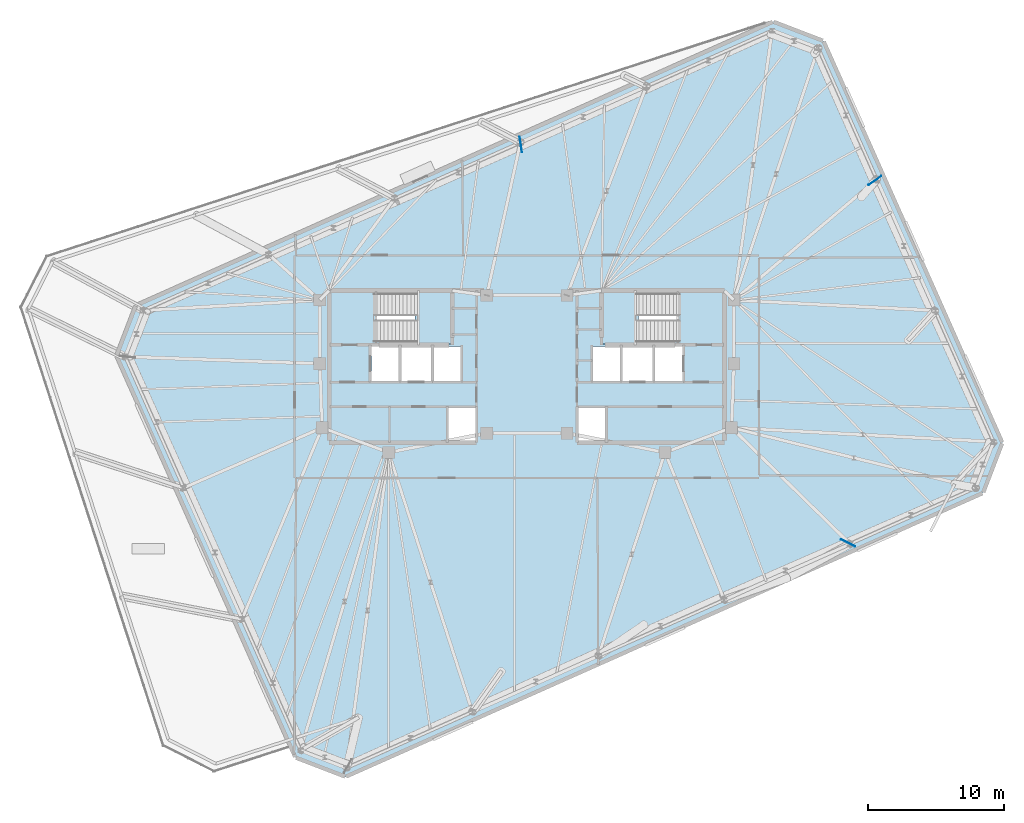
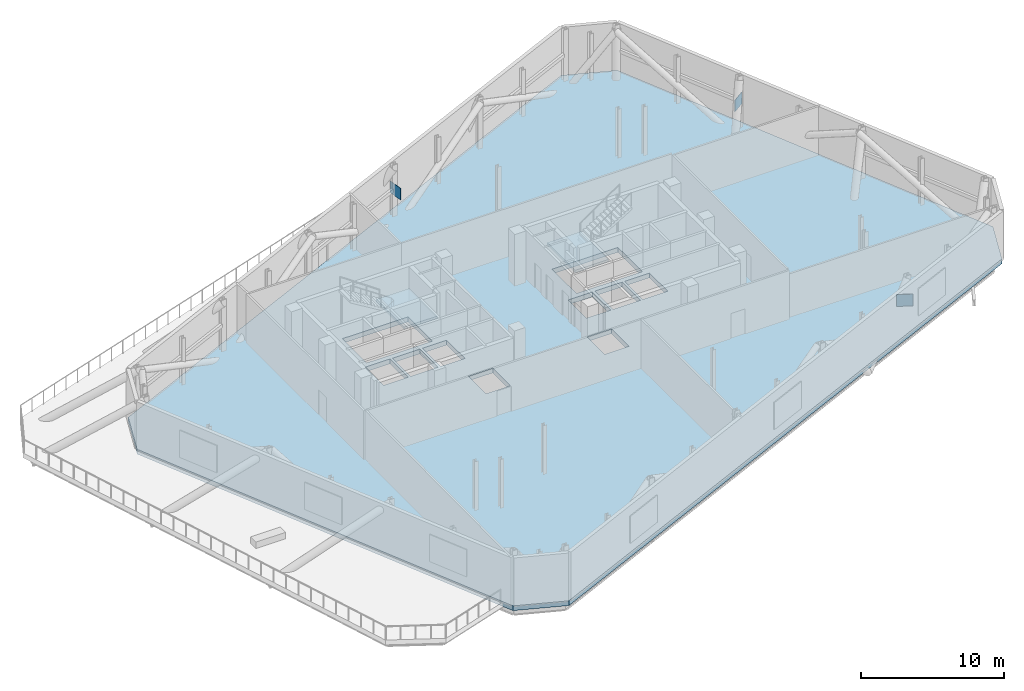
# One storey, part 10 of 15: 3 plates, 3 slabs, 2 elements without a shape of their own.
"""IFC4 building model written with IfcOpenShell, lengths in metres."""

from ifc_helpers import new_model, si_unit, direction, frame, origin, origin_2d, place, context, subcontext, project, spatial, polyline, rectangle, outline, extrude, material, layer, layer_set, type_object, element, aggregate, save


model = new_model("IFC4")

# Units and contexts
model_context = context("Model", 3, precision=1e-05, world=origin(), true_north=direction((0.0, 1.0)))
body_context = subcontext(model_context, "Body", "Model", "MODEL_VIEW")
ifc_project = project(units=[si_unit("LENGTHUNIT", "METRE"), si_unit("AREAUNIT", "SQUARE_METRE"), si_unit("VOLUMEUNIT", "CUBIC_METRE"), si_unit("PLANEANGLEUNIT", "RADIAN"), si_unit("MASSUNIT", "GRAM", prefix="KILO")], contexts=[model_context])

# Site, building, storey
site_placement = place(None, origin())
site = spatial("IfcSite", under=ifc_project, at=site_placement, CompositionType="ELEMENT")
building_placement = place(site_placement, origin())
building = spatial("IfcBuilding", under=site, at=building_placement, Name="Menara Jurai Vektor", CompositionType="ELEMENT")
storey_placement = place(building_placement, frame((0.0, 0.0, 254.449951171875)))
storey = spatial("IfcBuildingStorey", under=building, at=storey_placement, Name="L68", CompositionType="ELEMENT", Elevation=254.449951171875)

# Stair, slab
ifc_material_1 = material(Name="Concrete C40/50", Category="concrete")
stair_type = type_object("IfcStairType", Name="STAIR-DOGLEG-1500", PredefinedType="HALF_TURN_STAIR", material=ifc_material_1)
stair_1_placement = place(storey_placement, origin())
stair_1 = element("IfcStair", 1, at=stair_1_placement, inside=storey, type_object=stair_type, Name="Protected Exit Stair ST1 L68", PredefinedType="HALF_TURN_STAIR")
ifc_layer_1 = layer(ifc_material_1, 0.199951171875)
ifc_layer_set_1 = layer_set([ifc_layer_1], Name="Concrete C40/50")
slab_type_1 = type_object("IfcSlabType", Name="STAIR-LANDING-200", PredefinedType="LANDING", material=ifc_layer_set_1)
slab_1_placement = place(storey_placement, frame((0.0, 0.0, 2.0)))
slab_1 = element("IfcSlab", 2, at=slab_1_placement, type_object=slab_type_1, Name="ST1 landing 1", PredefinedType="LANDING", context=body_context, shape_type="SweptSolid", body=[
    extrude(outline(polyline([(-8.239990234375, 1.64990234375), (-5.550048828125, 1.64990234375), (-5.550048828125, 5.550048828125), (-8.239990234375, 5.550048828125), (-8.239990234375, 1.64990234375)])), origin(), (0.0, 0.0, 1.0), 0.199951171875),
])
aggregate(stair_1, [slab_1])

stair_2_placement = place(storey_placement, origin())
stair_2 = element("IfcStair", 3, at=stair_2_placement, inside=storey, type_object=stair_type, Name="Protected Exit Stair ST2 L68", PredefinedType="HALF_TURN_STAIR")
slab_2_placement = place(storey_placement, frame((0.0, 0.0, 2.0)))
slab_2 = element("IfcSlab", 4, at=slab_2_placement, type_object=slab_type_1, Name="ST2 landing 1", PredefinedType="LANDING", context=body_context, shape_type="SweptSolid", body=[
    extrude(outline(polyline([(5.550048828125, 1.64990234375), (8.239990234375, 1.64990234375), (8.239990234375, 5.550048828125), (5.550048828125, 5.550048828125), (5.550048828125, 1.64990234375)])), origin(), (0.0, 0.0, 1.0), 0.199951171875),
])
aggregate(stair_2, [slab_2])

# Plates
ifc_material_2 = material(Name="Steel S460", Category="steel")
ifc_layer_2 = layer(ifc_material_2, 0.031982421875)
ifc_layer_set_2 = layer_set([ifc_layer_2], Name="Steel S460")
plate_type = type_object("IfcPlateType", Name="STR-PLT-GUSSET32", PredefinedType="SHEET", material=ifc_layer_set_2)
for number, where, z_axis, x_axis, name in (
    (5, (23.662353515625, -12.98583984375, 1.699951171875), (0.0, 0.0, 1.0), (-0.895167867544, 0.445729165431, 0.0), "Transfer Truss Gusset Plate L68-05"),
    (6, (25.64111328125, 13.70654296875, 1.699951171875), (0.0, 0.0, 1.0), (-0.822044670489, -0.569423005964, 0.0), "Transfer Truss Gusset Plate L68-09"),
    (7, (-0.442138671875, 16.351318359375, 1.699951171875), (0.0, 0.0, 1.0), (0.149880475413, -0.988704123128, 0.0), "Transfer Truss Gusset Plate L68-13"),
):
    element("IfcPlate", number, at=place(storey_placement, frame(where, z_axis=z_axis, x_axis=x_axis)), inside=storey, type_object=plate_type, Name=name, PredefinedType="SHEET", context=body_context, shape_type="SweptSolid", body=[
        extrude(rectangle(XDim=1.14990234375, YDim=0.031982421875, at=origin_2d()), origin(), (0.0, 0.0, 1.0), 1.0),
    ])

# Slab
ifc_material_3 = material(Name="Concrete C50/60", Category="concrete")
ifc_layer_3 = layer(ifc_material_3, 0.405029296875)
ifc_layer_set_3 = layer_set([ifc_layer_3], Name="Concrete C50/60")
slab_type_2 = type_object("IfcSlabType", Name="STR-SLAB-TR405", PredefinedType="FLOOR", material=ifc_layer_set_3)
slab_3_placement = place(storey_placement, frame((0.0, 0.0, -0.405029296875)))
element("IfcSlab", 8, at=slab_3_placement, inside=storey, type_object=slab_type_2, Name="Composite Floor Slab L68", PredefinedType="FLOOR", context=body_context, shape_type="SweptSolid", body=[
    extrude(outline(polyline([(-13.35009765625, -30.21044921875), (33.606201171875, -9.30419921875), (35.025146484375, -5.607421875), (21.846923828125, 23.991455078125), (18.150146484375, 25.410400390625), (-28.80615234375, 4.504150390625), (-30.22509765625, 0.807373046875), (-17.046875, -28.79150390625), (-13.35009765625, -30.21044921875)]), holes=[polyline([(-11.10009765625, 1.89990234375), (-11.10009765625, 5.300048828125), (-5.800048828125, 5.300048828125), (-5.800048828125, 1.89990234375), (-11.10009765625, 1.89990234375)]), polyline([(5.800048828125, 1.89990234375), (5.800048828125, 5.300048828125), (11.10009765625, 5.300048828125), (11.10009765625, 1.89990234375), (5.800048828125, 1.89990234375)]), polyline([(-11.449951171875, -1.050048828125), (-11.449951171875, 1.5), (-9.449951171875, 1.5), (-9.449951171875, -1.050048828125), (-11.449951171875, -1.050048828125)]), polyline([(9.449951171875, -1.050048828125), (9.449951171875, 1.5), (11.449951171875, 1.5), (11.449951171875, -1.050048828125), (9.449951171875, -1.050048828125)]), polyline([(-5.760009765625, -5.5), (-5.760009765625, -3.050048828125), (-3.800048828125, -3.050048828125), (-3.800048828125, -5.5), (-5.760009765625, -5.5)]), polyline([(-6.85009765625, -1.050048828125), (-6.85009765625, 1.5), (-4.889892578125, 1.5), (-4.889892578125, -1.050048828125), (-6.85009765625, -1.050048828125)]), polyline([(3.800048828125, -5.5), (3.800048828125, -3.050048828125), (5.760009765625, -3.050048828125), (5.760009765625, -5.5), (3.800048828125, -5.5)]), polyline([(4.889892578125, -1.050048828125), (4.889892578125, 1.5), (6.85009765625, 1.5), (6.85009765625, -1.050048828125), (4.889892578125, -1.050048828125)]), polyline([(-9.25, -1.050048828125), (-9.25, 1.5), (-7.050048828125, 1.5), (-7.050048828125, -1.050048828125), (-9.25, -1.050048828125)]), polyline([(7.050048828125, -1.050048828125), (7.050048828125, 1.5), (9.25, 1.5), (9.25, -1.050048828125), (7.050048828125, -1.050048828125)])]), origin(), (0.0, 0.0, 1.0), 0.405029296875),
])

save(model, "model.ifc")
